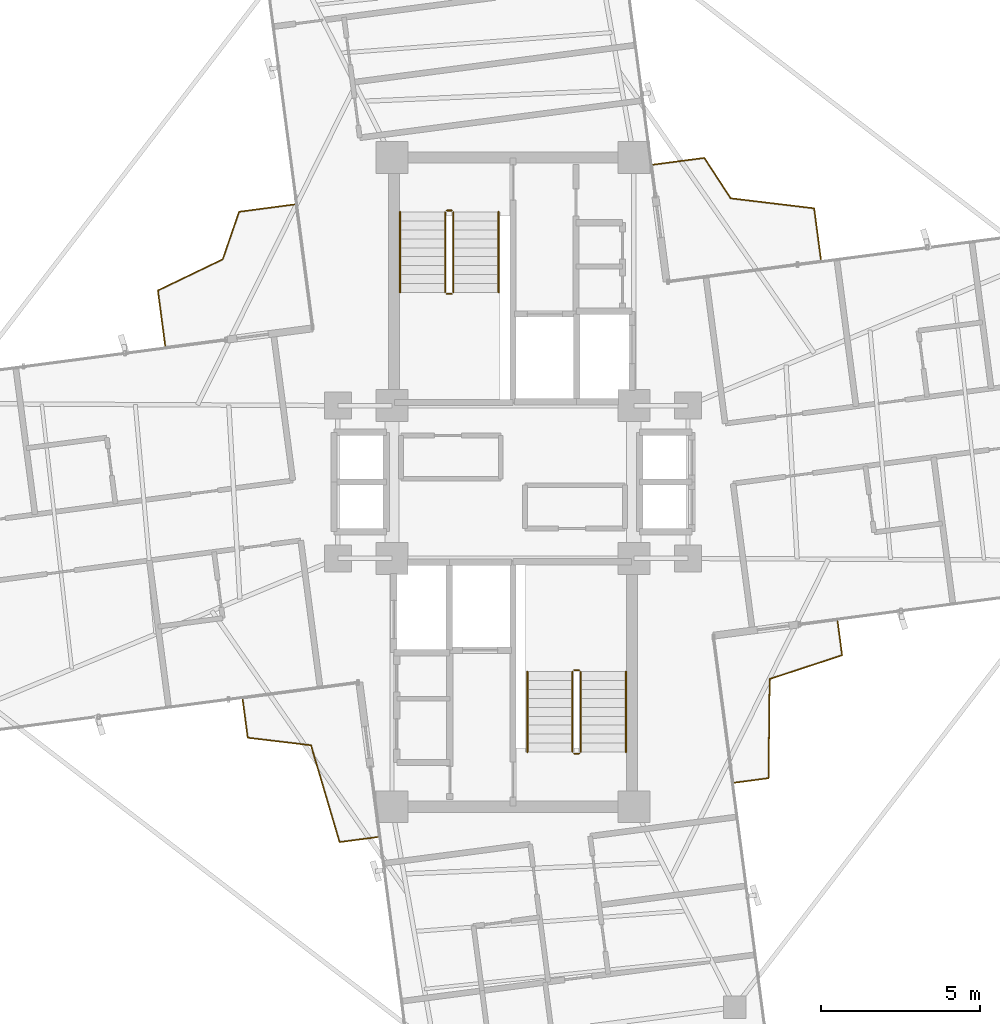
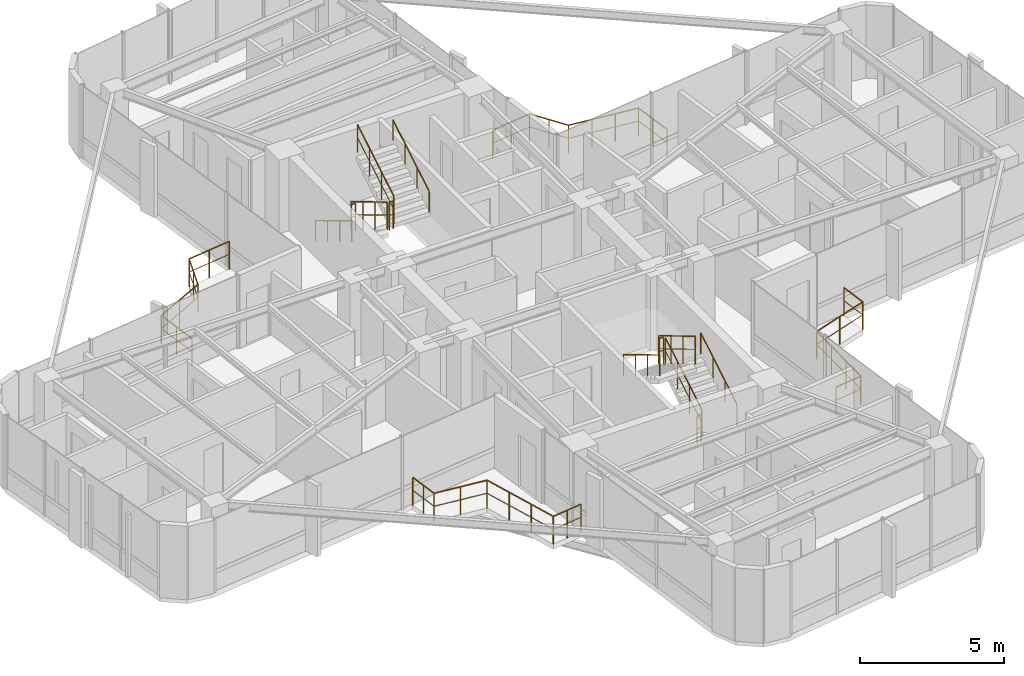
# One storey, part 23 of 23: 16 railings.
"""IFC4 building model written with IfcOpenShell, lengths in metres."""

from ifc_helpers import new_model, si_unit, direction, frame, origin, origin_2d, place, context, subcontext, project, spatial, circle, extrude, material, type_object, element, save


model = new_model("IFC4")

# Units and contexts
model_context = context("Model", 3, precision=1e-05, world=origin(), true_north=direction((0.0, 1.0)))
body_context = subcontext(model_context, "Body", "Model", "MODEL_VIEW")
ifc_project = project(units=[si_unit("LENGTHUNIT", "METRE"), si_unit("AREAUNIT", "SQUARE_METRE"), si_unit("VOLUMEUNIT", "CUBIC_METRE"), si_unit("PLANEANGLEUNIT", "RADIAN"), si_unit("MASSUNIT", "GRAM", prefix="KILO")], contexts=[model_context])

# Site, building, storey
site_placement = place(None, origin())
site = spatial("IfcSite", under=ifc_project, at=site_placement, CompositionType="ELEMENT")
building_placement = place(site_placement, origin())
building = spatial("IfcBuilding", under=site, at=building_placement, Name="Sahyath Konkavel Grand Hotel", CompositionType="ELEMENT")
storey_placement = place(building_placement, frame((0.0, 0.0, 251.199951171875)))
storey = spatial("IfcBuildingStorey", under=building, at=storey_placement, Name="L70", CompositionType="ELEMENT", Elevation=251.199951171875)

# Railings
ifc_material_1 = material(Name="Anodised Bronze Aluminium", Category="aluminium")
railing_type_1 = type_object("IfcRailingType", Name="RLG-BALC-1200", PredefinedType="GUARDRAIL", material=ifc_material_1)
railing_1_placement = place(storey_placement, frame((9.67529296875, 6.99072265625, 0.0)))
element("IfcRailing", 1, at=railing_1_placement, inside=storey, type_object=railing_type_1, Name="L70 Winter-Garden Guard NE", PredefinedType="GUARDRAIL", context=body_context, shape_type="SweptSolid", body=[
    extrude(circle(Radius=0.02392578125, at=origin_2d()), frame((-0.000244140625, 0.001953125, 1.17578125), z_axis=(-0.130606310718, 0.99143431028, 0.0), x_axis=(-0.99143431028, -0.130606310718, 0.0)), (0.0, 0.0, 1.0), 1.61865234375),
    extrude(circle(Radius=0.01416015625, at=origin_2d()), frame((-0.000244140625, 0.001953125, 0.6240234375), z_axis=(-0.130606310718, 0.99143431028, 0.0), x_axis=(-0.99143431028, -0.130606310718, 0.0)), (0.0, 0.0, 1.0), 1.61865234375),
    extrude(circle(Radius=0.02392578125, at=origin_2d()), frame((-0.2138671875, 1.60888671875, 1.17578125), z_axis=(-0.992881210248, 0.119108783621, 0.0), x_axis=(-0.119108783621, -0.992881210248, 0.0)), (0.0, 0.0, 1.0), 2.63818359375),
    extrude(circle(Radius=0.01416015625, at=origin_2d()), frame((-0.2138671875, 1.60888671875, 0.6240234375), z_axis=(-0.992881210248, 0.119108783621, 0.0), x_axis=(-0.119108783621, -0.992881210248, 0.0)), (0.0, 0.0, 1.0), 2.63818359375),
    extrude(circle(Radius=0.02392578125, at=origin_2d()), frame((-2.836181640625, 1.925048828125, 1.17578125), z_axis=(-0.546041610601, 0.837758055462, 0.0), x_axis=(-0.837758055462, -0.546041610601, 0.0)), (0.0, 0.0, 1.0), 1.5107421875),
    extrude(circle(Radius=0.01416015625, at=origin_2d()), frame((-2.836181640625, 1.925048828125, 0.6240234375), z_axis=(-0.546041610601, 0.837758055462, 0.0), x_axis=(-0.837758055462, -0.546041610601, 0.0)), (0.0, 0.0, 1.0), 1.5107421875),
    extrude(circle(Radius=0.02392578125, at=origin_2d()), frame((-3.664306640625, 3.192138671875, 1.17578125), z_axis=(-0.99143431028, -0.130606310718, 0.0), x_axis=(0.130606310718, -0.99143431028, 0.0)), (0.0, 0.0, 1.0), 1.61865234375),
    extrude(circle(Radius=0.01416015625, at=origin_2d()), frame((-3.664306640625, 3.192138671875, 0.6240234375), z_axis=(-0.99143431028, -0.130606310718, 0.0), x_axis=(0.130606310718, -0.99143431028, 0.0)), (0.0, 0.0, 1.0), 1.61865234375),
    extrude(circle(Radius=0.02099609375, at=origin_2d()), origin(), (0.0, 0.0, 1.0), 1.15185546875),
    extrude(circle(Radius=0.02099609375, at=origin_2d()), frame((-0.10595703125, 0.80419921875, 0.0)), (0.0, 0.0, 1.0), 1.15185546875),
    extrude(circle(Radius=0.02099609375, at=origin_2d()), frame((-0.2119140625, 1.608642578125, 0.0)), (0.0, 0.0, 1.0), 1.15185546875),
    extrude(circle(Radius=0.02099609375, at=origin_2d()), frame((-1.08642578125, 1.713623046875, 0.0)), (0.0, 0.0, 1.0), 1.15185546875),
    extrude(circle(Radius=0.02099609375, at=origin_2d()), frame((-1.960693359375, 1.818359375, 0.0)), (0.0, 0.0, 1.0), 1.15185546875),
    extrude(circle(Radius=0.02099609375, at=origin_2d()), frame((-2.835205078125, 1.92333984375, 0.0)), (0.0, 0.0, 1.0), 1.15185546875),
    extrude(circle(Radius=0.02099609375, at=origin_2d()), frame((-3.248779296875, 2.557861328125, 0.0)), (0.0, 0.0, 1.0), 1.15185546875),
    extrude(circle(Radius=0.02099609375, at=origin_2d()), frame((-3.662353515625, 3.1923828125, 0.0)), (0.0, 0.0, 1.0), 1.15185546875),
    extrude(circle(Radius=0.02099609375, at=origin_2d()), frame((-4.466796875, 3.08642578125, 0.0)), (0.0, 0.0, 1.0), 1.15185546875),
    extrude(circle(Radius=0.02099609375, at=origin_2d()), frame((-5.27099609375, 2.98046875, 0.0)), (0.0, 0.0, 1.0), 1.15185546875),
])
railing_2_placement = place(storey_placement, frame((-6.864990234375, 8.720703125, 0.0)))
element("IfcRailing", 2, at=railing_2_placement, inside=storey, type_object=railing_type_1, Name="L70 Winter-Garden Guard NW", PredefinedType="GUARDRAIL", context=body_context, shape_type="SweptSolid", body=[
    extrude(circle(Radius=0.02392578125, at=origin_2d()), frame((-0.001953125, -0.000244140625, 1.17578125), z_axis=(-0.991438178159, -0.130576946239, 0.0), x_axis=(0.130576946239, -0.991438178159, 0.0)), (0.0, 0.0, 1.0), 1.749755859375),
    extrude(circle(Radius=0.01416015625, at=origin_2d()), frame((-0.001953125, -0.000244140625, 0.6240234375), z_axis=(-0.991438178159, -0.130576946239, 0.0), x_axis=(0.130576946239, -0.991438178159, 0.0)), (0.0, 0.0, 1.0), 1.749755859375),
    extrude(circle(Radius=0.02392578125, at=origin_2d()), frame((-1.739501953125, -0.23095703125, 1.17578125), z_axis=(-0.325476731779, -0.945550050008, 0.0), x_axis=(0.945550050008, -0.325476731779, 0.0)), (0.0, 0.0, 1.0), 1.5771484375),
    extrude(circle(Radius=0.01416015625, at=origin_2d()), frame((-1.739501953125, -0.23095703125, 0.6240234375), z_axis=(-0.325476731779, -0.945550050008, 0.0), x_axis=(0.945550050008, -0.325476731779, 0.0)), (0.0, 0.0, 1.0), 1.5771484375),
    extrude(circle(Radius=0.02392578125, at=origin_2d()), frame((-2.255126953125, -1.72509765625, 1.17578125), z_axis=(-0.901172083986, -0.433461503531, 0.0), x_axis=(0.433461503531, -0.901172083986, 0.0)), (0.0, 0.0, 1.0), 2.255615234375),
    extrude(circle(Radius=0.01416015625, at=origin_2d()), frame((-2.255126953125, -1.72509765625, 0.6240234375), z_axis=(-0.901172083986, -0.433461503531, 0.0), x_axis=(0.433461503531, -0.901172083986, 0.0)), (0.0, 0.0, 1.0), 2.255615234375),
    extrude(circle(Radius=0.02392578125, at=origin_2d()), frame((-4.28955078125, -2.70556640625, 1.17578125), z_axis=(0.130594970407, -0.991435804127, 0.0), x_axis=(0.991435804127, 0.130594970407, 0.0)), (0.0, 0.0, 1.0), 1.74951171875),
    extrude(circle(Radius=0.01416015625, at=origin_2d()), frame((-4.28955078125, -2.70556640625, 0.6240234375), z_axis=(0.130594970407, -0.991435804127, 0.0), x_axis=(0.991435804127, 0.130594970407, 0.0)), (0.0, 0.0, 1.0), 1.74951171875),
    extrude(circle(Radius=0.02099609375, at=origin_2d()), origin(), (0.0, 0.0, 1.0), 1.15185546875),
    extrude(circle(Radius=0.02099609375, at=origin_2d()), frame((-0.869384765625, -0.114501953125, 0.0)), (0.0, 0.0, 1.0), 1.15185546875),
    extrude(circle(Radius=0.02099609375, at=origin_2d()), frame((-1.73876953125, -0.22900390625, 0.0)), (0.0, 0.0, 1.0), 1.15185546875),
    extrude(circle(Radius=0.02099609375, at=origin_2d()), frame((-1.99609375, -0.9765625, 0.0)), (0.0, 0.0, 1.0), 1.15185546875),
    extrude(circle(Radius=0.02099609375, at=origin_2d()), frame((-2.25341796875, -1.72412109375, 0.0)), (0.0, 0.0, 1.0), 1.15185546875),
    extrude(circle(Radius=0.02099609375, at=origin_2d()), frame((-3.271484375, -2.2138671875, 0.0)), (0.0, 0.0, 1.0), 1.15185546875),
    extrude(circle(Radius=0.02099609375, at=origin_2d()), frame((-4.289794921875, -2.70361328125, 0.0)), (0.0, 0.0, 1.0), 1.15185546875),
    extrude(circle(Radius=0.02099609375, at=origin_2d()), frame((-4.17529296875, -3.57275390625, 0.0)), (0.0, 0.0, 1.0), 1.15185546875),
    extrude(circle(Radius=0.02099609375, at=origin_2d()), frame((-4.060791015625, -4.442138671875, 0.0)), (0.0, 0.0, 1.0), 1.15185546875),
])
railing_3_placement = place(storey_placement, frame((-8.49169921875, -6.834716796875, 0.0)))
element("IfcRailing", 3, at=railing_3_placement, inside=storey, type_object=railing_type_1, Name="L70 Winter-Garden Guard SW", PredefinedType="GUARDRAIL", context=body_context, shape_type="SweptSolid", body=[
    extrude(circle(Radius=0.02392578125, at=origin_2d()), frame((0.000244140625, -0.001953125, 1.17578125), z_axis=(0.130590261918, -0.991436424332, 0.0), x_axis=(0.991436424332, 0.130590261918, 0.0)), (0.0, 0.0, 1.0), 1.20556640625),
    extrude(circle(Radius=0.01416015625, at=origin_2d()), frame((0.000244140625, -0.001953125, 0.6240234375), z_axis=(0.130590261918, -0.991436424332, 0.0), x_axis=(0.991436424332, 0.130590261918, 0.0)), (0.0, 0.0, 1.0), 1.20556640625),
    extrude(circle(Radius=0.02392578125, at=origin_2d()), frame((0.159912109375, -1.199462890625, 1.17578125), z_axis=(0.993022655652, -0.117923726884, 0.0), x_axis=(0.117923726884, 0.993022655652, 0.0)), (0.0, 0.0, 1.0), 1.998046875),
    extrude(circle(Radius=0.01416015625, at=origin_2d()), frame((0.159912109375, -1.199462890625, 0.6240234375), z_axis=(0.993022655652, -0.117923726884, 0.0), x_axis=(0.117923726884, 0.993022655652, 0.0)), (0.0, 0.0, 1.0), 1.998046875),
    extrude(circle(Radius=0.02392578125, at=origin_2d()), frame((2.146484375, -1.437255859375, 1.17578125), z_axis=(0.283186893836, -0.959064743987, 0.0), x_axis=(0.959064743987, 0.283186893836, 0.0)), (0.0, 0.0, 1.0), 3.168701171875),
    extrude(circle(Radius=0.01416015625, at=origin_2d()), frame((2.146484375, -1.437255859375, 0.6240234375), z_axis=(0.283186893836, -0.959064743987, 0.0), x_axis=(0.959064743987, 0.283186893836, 0.0)), (0.0, 0.0, 1.0), 3.168701171875),
    extrude(circle(Radius=0.02392578125, at=origin_2d()), frame((3.04638671875, -4.477783203125, 1.17578125), z_axis=(0.991432981162, 0.130616399677, 0.0), x_axis=(-0.130616399677, 0.991432981162, 0.0)), (0.0, 0.0, 1.0), 1.205322265625),
    extrude(circle(Radius=0.01416015625, at=origin_2d()), frame((3.04638671875, -4.477783203125, 0.6240234375), z_axis=(0.991432981162, 0.130616399677, 0.0), x_axis=(-0.130616399677, 0.991432981162, 0.0)), (0.0, 0.0, 1.0), 1.205322265625),
    extrude(circle(Radius=0.02099609375, at=origin_2d()), origin(), (0.0, 0.0, 1.0), 1.15185546875),
    extrude(circle(Radius=0.02099609375, at=origin_2d()), frame((0.0791015625, -0.599609375, 0.0)), (0.0, 0.0, 1.0), 1.15185546875),
    extrude(circle(Radius=0.02099609375, at=origin_2d()), frame((0.157958984375, -1.19921875, 0.0)), (0.0, 0.0, 1.0), 1.15185546875),
    extrude(circle(Radius=0.02099609375, at=origin_2d()), frame((1.15185546875, -1.3173828125, 0.0)), (0.0, 0.0, 1.0), 1.15185546875),
    extrude(circle(Radius=0.02099609375, at=origin_2d()), frame((2.14599609375, -1.435302734375, 0.0)), (0.0, 0.0, 1.0), 1.15185546875),
    extrude(circle(Radius=0.02099609375, at=origin_2d()), frame((2.445556640625, -2.449462890625, 0.0)), (0.0, 0.0, 1.0), 1.15185546875),
    extrude(circle(Radius=0.02099609375, at=origin_2d()), frame((2.744873046875, -3.4638671875, 0.0)), (0.0, 0.0, 1.0), 1.15185546875),
    extrude(circle(Radius=0.02099609375, at=origin_2d()), frame((3.04443359375, -4.47802734375, 0.0)), (0.0, 0.0, 1.0), 1.15185546875),
    extrude(circle(Radius=0.02099609375, at=origin_2d()), frame((3.64404296875, -4.39892578125, 0.0)), (0.0, 0.0, 1.0), 1.15185546875),
    extrude(circle(Radius=0.02099609375, at=origin_2d()), frame((4.243408203125, -4.320068359375, 0.0)), (0.0, 0.0, 1.0), 1.15185546875),
])
railing_4_placement = place(storey_placement, frame((6.96044921875, -9.4462890625, 0.0)))
element("IfcRailing", 4, at=railing_4_placement, inside=storey, type_object=railing_type_1, Name="L70 Winter-Garden Guard SE", PredefinedType="GUARDRAIL", context=body_context, shape_type="SweptSolid", body=[
    extrude(circle(Radius=0.02392578125, at=origin_2d()), frame((0.001953125, 0.000244140625, 1.17578125), z_axis=(0.991430389962, 0.130636066455, 0.0), x_axis=(-0.130636066455, 0.991430389962, 0.0)), (0.0, 0.0, 1.0), 1.07421875),
    extrude(circle(Radius=0.01416015625, at=origin_2d()), frame((0.001953125, 0.000244140625, 0.6240234375), z_axis=(0.991430389962, 0.130636066455, 0.0), x_axis=(-0.130636066455, 0.991430389962, 0.0)), (0.0, 0.0, 1.0), 1.07421875),
    extrude(circle(Radius=0.02392578125, at=origin_2d()), frame((1.069091796875, 0.142822265625, 1.17578125), z_axis=(0.011672661309, 0.999931872168, 0.0), x_axis=(-0.999931872168, 0.011672661309, 0.0)), (0.0, 0.0, 1.0), 3.1123046875),
    extrude(circle(Radius=0.01416015625, at=origin_2d()), frame((1.069091796875, 0.142822265625, 0.6240234375), z_axis=(0.011672661309, 0.999931872168, 0.0), x_axis=(-0.999931872168, 0.011672661309, 0.0)), (0.0, 0.0, 1.0), 3.1123046875),
    extrude(circle(Radius=0.02392578125, at=origin_2d()), frame((1.107421875, 3.2578125, 1.17578125), z_axis=(0.950201822617, 0.311635197458, 0.0), x_axis=(-0.311635197458, 0.950201822617, 0.0)), (0.0, 0.0, 1.0), 2.39013671875),
    extrude(circle(Radius=0.01416015625, at=origin_2d()), frame((1.107421875, 3.2578125, 0.6240234375), z_axis=(0.950201822617, 0.311635197458, 0.0), x_axis=(-0.311635197458, 0.950201822617, 0.0)), (0.0, 0.0, 1.0), 2.39013671875),
    extrude(circle(Radius=0.02392578125, at=origin_2d()), frame((3.380126953125, 4.005126953125, 1.17578125), z_axis=(-0.130413514716, 0.991459689135, 0.0), x_axis=(-0.991459689135, -0.130413514716, 0.0)), (0.0, 0.0, 1.0), 1.07421875),
    extrude(circle(Radius=0.01416015625, at=origin_2d()), frame((3.380126953125, 4.005126953125, 0.6240234375), z_axis=(-0.130413514716, 0.991459689135, 0.0), x_axis=(-0.991459689135, -0.130413514716, 0.0)), (0.0, 0.0, 1.0), 1.07421875),
    extrude(circle(Radius=0.02099609375, at=origin_2d()), origin(), (0.0, 0.0, 1.0), 1.15185546875),
    extrude(circle(Radius=0.02099609375, at=origin_2d()), frame((1.069091796875, 0.140869140625, 0.0)), (0.0, 0.0, 1.0), 1.15185546875),
    extrude(circle(Radius=0.02099609375, at=origin_2d()), frame((1.081298828125, 1.1796875, 0.0)), (0.0, 0.0, 1.0), 1.15185546875),
    extrude(circle(Radius=0.02099609375, at=origin_2d()), frame((1.09326171875, 2.21826171875, 0.0)), (0.0, 0.0, 1.0), 1.15185546875),
    extrude(circle(Radius=0.02099609375, at=origin_2d()), frame((1.10546875, 3.257080078125, 0.0)), (0.0, 0.0, 1.0), 1.15185546875),
    extrude(circle(Radius=0.02099609375, at=origin_2d()), frame((2.242919921875, 3.630126953125, 0.0)), (0.0, 0.0, 1.0), 1.15185546875),
    extrude(circle(Radius=0.02099609375, at=origin_2d()), frame((3.38037109375, 4.003173828125, 0.0)), (0.0, 0.0, 1.0), 1.15185546875),
    extrude(circle(Radius=0.02099609375, at=origin_2d()), frame((3.23974609375, 5.072265625, 0.0)), (0.0, 0.0, 1.0), 1.15185546875),
])
ifc_material_2 = material(Name="Steel E350", Category="steel")
railing_type_2 = type_object("IfcRailingType", Name="RLG-STAIR-GRD", PredefinedType="GUARDRAIL", material=ifc_material_2)
railing_5_placement = place(storey_placement, frame((-2.1298828125, 8.47998046875, 0.16748046875)))
element("IfcRailing", 5, at=railing_5_placement, inside=storey, type_object=railing_type_2, Name="L70 ST-1 stair guard 1", PredefinedType="GUARDRAIL", context=body_context, shape_type="SweptSolid", body=[
    extrude(circle(Radius=0.02392578125, at=origin_2d()), frame((0.0, -0.001708984375, 1.177001953125), z_axis=(0.0, -0.858159760407, 0.513382728203), x_axis=(1.0, 0.0, 0.0)), (0.0, 0.0, 1.0), 2.9326171875),
    extrude(circle(Radius=0.01416015625, at=origin_2d()), frame((0.0, -0.001708984375, 0.625), z_axis=(0.0, -0.858159760407, 0.513382728203), x_axis=(1.0, 0.0, 0.0)), (0.0, 0.0, 1.0), 2.9326171875),
    extrude(circle(Radius=0.02099609375, at=origin_2d()), origin(), (0.0, 0.0, 1.0), 1.15185546875),
    extrude(circle(Radius=0.02099609375, at=origin_2d()), frame((0.0, -0.840087890625, 0.50244140625)), (0.0, 0.0, 1.0), 1.15185546875),
    extrude(circle(Radius=0.02099609375, at=origin_2d()), frame((0.0, -1.679931640625, 1.005126953125)), (0.0, 0.0, 1.0), 1.15185546875),
    extrude(circle(Radius=0.02099609375, at=origin_2d()), frame((0.0, -2.52001953125, 1.507568359375)), (0.0, 0.0, 1.0), 1.15185546875),
])
railing_6_placement = place(storey_placement, frame((-2.080078125, 5.909912109375, 1.675048828125)))
element("IfcRailing", 6, at=railing_6_placement, inside=storey, type_object=railing_type_2, Name="L70 ST-1 stair guard 2", PredefinedType="GUARDRAIL", context=body_context, shape_type="SweptSolid", body=[
    extrude(circle(Radius=0.02392578125, at=origin_2d()), frame((0.001953125, 0.0, 1.17578125), z_axis=(1.0, 0.0, 0.0), x_axis=(0.0, 1.0, 0.0)), (0.0, 0.0, 1.0), 0.15625),
    extrude(circle(Radius=0.01416015625, at=origin_2d()), frame((0.001953125, 0.0, 0.6240234375), z_axis=(1.0, 0.0, 0.0), x_axis=(0.0, 1.0, 0.0)), (0.0, 0.0, 1.0), 0.15625),
    extrude(circle(Radius=0.02099609375, at=origin_2d()), origin(), (0.0, 0.0, 1.0), 1.15185546875),
    extrude(circle(Radius=0.02099609375, at=origin_2d()), frame((0.16015625, 0.0, 0.0)), (0.0, 0.0, 1.0), 1.15185546875),
])
railing_7_placement = place(storey_placement, frame((-1.8701171875, 5.9599609375, 1.842529296875)))
element("IfcRailing", 7, at=railing_7_placement, inside=storey, type_object=railing_type_2, Name="L70 ST-1 stair guard 3", PredefinedType="GUARDRAIL", context=body_context, shape_type="SweptSolid", body=[
    extrude(circle(Radius=0.02392578125, at=origin_2d()), frame((0.0, 0.001708984375, 1.177001953125), z_axis=(0.0, 0.858159760407, 0.513382728203), x_axis=(-1.0, 0.0, 0.0)), (0.0, 0.0, 1.0), 2.9326171875),
    extrude(circle(Radius=0.01416015625, at=origin_2d()), frame((0.0, 0.001708984375, 0.625), z_axis=(0.0, 0.858159760407, 0.513382728203), x_axis=(-1.0, 0.0, 0.0)), (0.0, 0.0, 1.0), 2.9326171875),
    extrude(circle(Radius=0.02099609375, at=origin_2d()), origin(), (0.0, 0.0, 1.0), 1.15185546875),
    extrude(circle(Radius=0.02099609375, at=origin_2d()), frame((0.0, 0.840087890625, 0.50244140625)), (0.0, 0.0, 1.0), 1.15185546875),
    extrude(circle(Radius=0.02099609375, at=origin_2d()), frame((0.0, 1.679931640625, 1.005126953125)), (0.0, 0.0, 1.0), 1.15185546875),
    extrude(circle(Radius=0.02099609375, at=origin_2d()), frame((0.0, 2.52001953125, 1.507568359375)), (0.0, 0.0, 1.0), 1.15185546875),
])
railing_8_placement = place(storey_placement, frame((-2.080078125, 8.530029296875, 0.0)))
element("IfcRailing", 8, at=railing_8_placement, inside=storey, type_object=railing_type_2, Name="L70 ST-1 stair guard 4", PredefinedType="GUARDRAIL", context=body_context, shape_type="SweptSolid", body=[
    extrude(circle(Radius=0.02392578125, at=origin_2d()), frame((0.001953125, 0.0, 1.17578125), z_axis=(1.0, 0.0, 0.0), x_axis=(0.0, 1.0, 0.0)), (0.0, 0.0, 1.0), 0.15625),
    extrude(circle(Radius=0.01416015625, at=origin_2d()), frame((0.001953125, 0.0, 0.6240234375), z_axis=(1.0, 0.0, 0.0), x_axis=(0.0, 1.0, 0.0)), (0.0, 0.0, 1.0), 0.15625),
    extrude(circle(Radius=0.02099609375, at=origin_2d()), origin(), (0.0, 0.0, 1.0), 1.15185546875),
    extrude(circle(Radius=0.02099609375, at=origin_2d()), frame((0.16015625, 0.0, 0.0)), (0.0, 0.0, 1.0), 1.15185546875),
])
railing_9_placement = place(storey_placement, frame((2.1298828125, -8.47998046875, 0.16748046875)))
element("IfcRailing", 9, at=railing_9_placement, inside=storey, type_object=railing_type_2, Name="L70 ST-2 stair guard 1", PredefinedType="GUARDRAIL", context=body_context, shape_type="SweptSolid", body=[
    extrude(circle(Radius=0.02392578125, at=origin_2d()), frame((0.0, 0.001708984375, 1.177001953125), z_axis=(0.0, 0.858159760407, 0.513382728203), x_axis=(-1.0, 0.0, 0.0)), (0.0, 0.0, 1.0), 2.9326171875),
    extrude(circle(Radius=0.01416015625, at=origin_2d()), frame((0.0, 0.001708984375, 0.625), z_axis=(0.0, 0.858159760407, 0.513382728203), x_axis=(-1.0, 0.0, 0.0)), (0.0, 0.0, 1.0), 2.9326171875),
    extrude(circle(Radius=0.02099609375, at=origin_2d()), origin(), (0.0, 0.0, 1.0), 1.15185546875),
    extrude(circle(Radius=0.02099609375, at=origin_2d()), frame((0.0, 0.840087890625, 0.50244140625)), (0.0, 0.0, 1.0), 1.15185546875),
    extrude(circle(Radius=0.02099609375, at=origin_2d()), frame((0.0, 1.679931640625, 1.005126953125)), (0.0, 0.0, 1.0), 1.15185546875),
    extrude(circle(Radius=0.02099609375, at=origin_2d()), frame((0.0, 2.52001953125, 1.507568359375)), (0.0, 0.0, 1.0), 1.15185546875),
])
railing_10_placement = place(storey_placement, frame((2.080078125, -5.909912109375, 1.675048828125)))
element("IfcRailing", 10, at=railing_10_placement, inside=storey, type_object=railing_type_2, Name="L70 ST-2 stair guard 2", PredefinedType="GUARDRAIL", context=body_context, shape_type="SweptSolid", body=[
    extrude(circle(Radius=0.02392578125, at=origin_2d()), frame((-0.001953125, 0.0, 1.17578125), z_axis=(-1.0, 0.0, 0.0), x_axis=(0.0, -1.0, 0.0)), (0.0, 0.0, 1.0), 0.15625),
    extrude(circle(Radius=0.01416015625, at=origin_2d()), frame((-0.001953125, 0.0, 0.6240234375), z_axis=(-1.0, 0.0, 0.0), x_axis=(0.0, -1.0, 0.0)), (0.0, 0.0, 1.0), 0.15625),
    extrude(circle(Radius=0.02099609375, at=origin_2d()), origin(), (0.0, 0.0, 1.0), 1.15185546875),
    extrude(circle(Radius=0.02099609375, at=origin_2d()), frame((-0.16015625, 0.0, 0.0)), (0.0, 0.0, 1.0), 1.15185546875),
])
railing_11_placement = place(storey_placement, frame((1.8701171875, -5.9599609375, 1.842529296875)))
element("IfcRailing", 11, at=railing_11_placement, inside=storey, type_object=railing_type_2, Name="L70 ST-2 stair guard 3", PredefinedType="GUARDRAIL", context=body_context, shape_type="SweptSolid", body=[
    extrude(circle(Radius=0.02392578125, at=origin_2d()), frame((0.0, -0.001708984375, 1.177001953125), z_axis=(0.0, -0.858159760407, 0.513382728203), x_axis=(1.0, 0.0, 0.0)), (0.0, 0.0, 1.0), 2.9326171875),
    extrude(circle(Radius=0.01416015625, at=origin_2d()), frame((0.0, -0.001708984375, 0.625), z_axis=(0.0, -0.858159760407, 0.513382728203), x_axis=(1.0, 0.0, 0.0)), (0.0, 0.0, 1.0), 2.9326171875),
    extrude(circle(Radius=0.02099609375, at=origin_2d()), origin(), (0.0, 0.0, 1.0), 1.15185546875),
    extrude(circle(Radius=0.02099609375, at=origin_2d()), frame((0.0, -0.840087890625, 0.50244140625)), (0.0, 0.0, 1.0), 1.15185546875),
    extrude(circle(Radius=0.02099609375, at=origin_2d()), frame((0.0, -1.679931640625, 1.005126953125)), (0.0, 0.0, 1.0), 1.15185546875),
    extrude(circle(Radius=0.02099609375, at=origin_2d()), frame((0.0, -2.52001953125, 1.507568359375)), (0.0, 0.0, 1.0), 1.15185546875),
])
railing_12_placement = place(storey_placement, frame((2.080078125, -8.530029296875, 0.0)))
element("IfcRailing", 12, at=railing_12_placement, inside=storey, type_object=railing_type_2, Name="L70 ST-2 stair guard 4", PredefinedType="GUARDRAIL", context=body_context, shape_type="SweptSolid", body=[
    extrude(circle(Radius=0.02392578125, at=origin_2d()), frame((-0.001953125, 0.0, 1.17578125), z_axis=(-1.0, 0.0, 0.0), x_axis=(0.0, -1.0, 0.0)), (0.0, 0.0, 1.0), 0.15625),
    extrude(circle(Radius=0.01416015625, at=origin_2d()), frame((-0.001953125, 0.0, 0.6240234375), z_axis=(-1.0, 0.0, 0.0), x_axis=(0.0, -1.0, 0.0)), (0.0, 0.0, 1.0), 0.15625),
    extrude(circle(Radius=0.02099609375, at=origin_2d()), origin(), (0.0, 0.0, 1.0), 1.15185546875),
    extrude(circle(Radius=0.02099609375, at=origin_2d()), frame((-0.16015625, 0.0, 0.0)), (0.0, 0.0, 1.0), 1.15185546875),
])
railing_type_3 = type_object("IfcRailingType", Name="RLG-STAIR-HND", PredefinedType="HANDRAIL", material=ifc_material_1)
railing_13_placement = place(storey_placement, frame((-3.550048828125, 8.47998046875, 0.16748046875)))
element("IfcRailing", 13, at=railing_13_placement, inside=storey, type_object=railing_type_3, Name="L70 ST-1 stair handrail 1", PredefinedType="HANDRAIL", context=body_context, shape_type="SweptSolid", body=[
    extrude(circle(Radius=0.02392578125, at=origin_2d()), frame((0.0, -0.001708984375, 0.876953125), z_axis=(0.0, -0.858159760407, 0.513382728203), x_axis=(1.0, 0.0, 0.0)), (0.0, 0.0, 1.0), 2.9326171875),
    extrude(circle(Radius=0.02099609375, at=origin_2d()), origin(), (0.0, 0.0, 1.0), 0.851806640625),
    extrude(circle(Radius=0.02099609375, at=origin_2d()), frame((0.0, -0.840087890625, 0.50244140625)), (0.0, 0.0, 1.0), 0.851806640625),
    extrude(circle(Radius=0.02099609375, at=origin_2d()), frame((0.0, -1.679931640625, 1.005126953125)), (0.0, 0.0, 1.0), 0.851806640625),
    extrude(circle(Radius=0.02099609375, at=origin_2d()), frame((0.0, -2.52001953125, 1.507568359375)), (0.0, 0.0, 1.0), 0.851806640625),
])
for number, where, name in (
    (14, (-0.449951171875, 5.9599609375, 1.842529296875), "L70 ST-1 stair handrail 2"),
    (15, (3.550048828125, -8.47998046875, 0.16748046875), "L70 ST-2 stair handrail 1"),
):
    element("IfcRailing", number, at=place(storey_placement, frame(where)), inside=storey, type_object=railing_type_3, Name=name, PredefinedType="HANDRAIL", context=body_context, shape_type="SweptSolid", body=[
        extrude(circle(Radius=0.02392578125, at=origin_2d()), frame((0.0, 0.001708984375, 0.876953125), z_axis=(0.0, 0.858159760407, 0.513382728203), x_axis=(-1.0, 0.0, 0.0)), (0.0, 0.0, 1.0), 2.9326171875),
        extrude(circle(Radius=0.02099609375, at=origin_2d()), origin(), (0.0, 0.0, 1.0), 0.851806640625),
        extrude(circle(Radius=0.02099609375, at=origin_2d()), frame((0.0, 0.840087890625, 0.50244140625)), (0.0, 0.0, 1.0), 0.851806640625),
        extrude(circle(Radius=0.02099609375, at=origin_2d()), frame((0.0, 1.679931640625, 1.005126953125)), (0.0, 0.0, 1.0), 0.851806640625),
        extrude(circle(Radius=0.02099609375, at=origin_2d()), frame((0.0, 2.52001953125, 1.507568359375)), (0.0, 0.0, 1.0), 0.851806640625),
    ])
railing_14_placement = place(storey_placement, frame((0.449951171875, -5.9599609375, 1.842529296875)))
element("IfcRailing", 16, at=railing_14_placement, inside=storey, type_object=railing_type_3, Name="L70 ST-2 stair handrail 2", PredefinedType="HANDRAIL", context=body_context, shape_type="SweptSolid", body=[
    extrude(circle(Radius=0.02392578125, at=origin_2d()), frame((0.0, -0.001708984375, 0.876953125), z_axis=(0.0, -0.858159760407, 0.513382728203), x_axis=(1.0, 0.0, 0.0)), (0.0, 0.0, 1.0), 2.9326171875),
    extrude(circle(Radius=0.02099609375, at=origin_2d()), origin(), (0.0, 0.0, 1.0), 0.851806640625),
    extrude(circle(Radius=0.02099609375, at=origin_2d()), frame((0.0, -0.840087890625, 0.50244140625)), (0.0, 0.0, 1.0), 0.851806640625),
    extrude(circle(Radius=0.02099609375, at=origin_2d()), frame((0.0, -1.679931640625, 1.005126953125)), (0.0, 0.0, 1.0), 0.851806640625),
    extrude(circle(Radius=0.02099609375, at=origin_2d()), frame((0.0, -2.52001953125, 1.507568359375)), (0.0, 0.0, 1.0), 0.851806640625),
])

save(model, "model.ifc")
